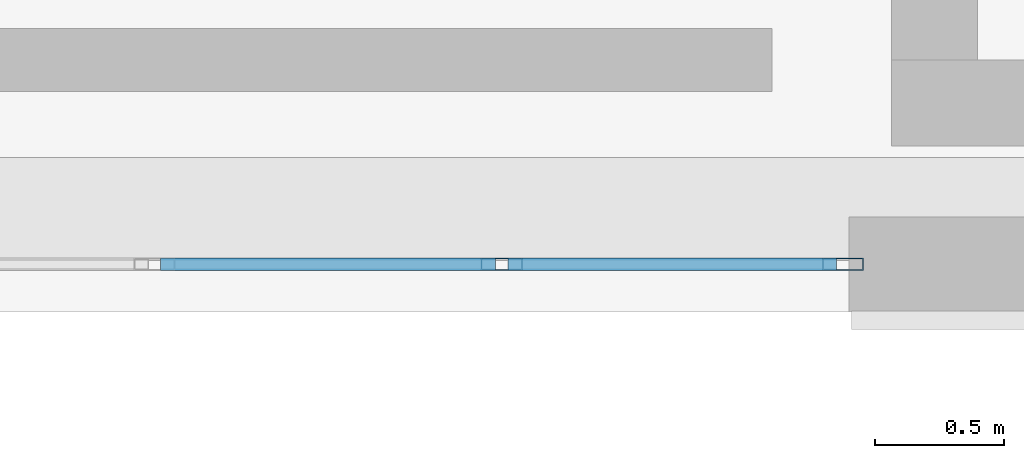
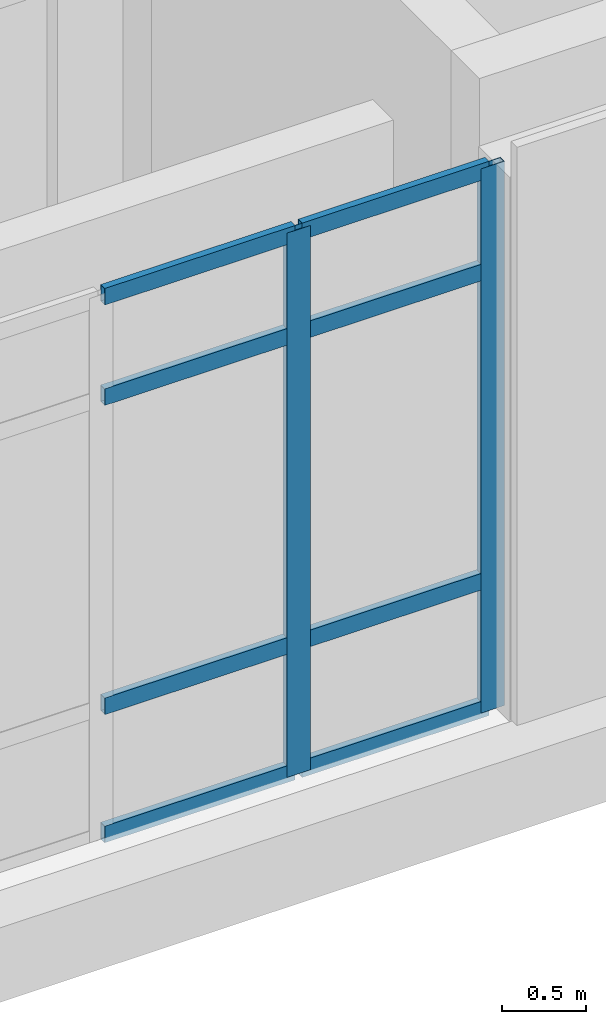
# One storey, part 28 of 77: 10 members, 1 element without a shape of its own.
"""IFC4 building model written with IfcOpenShell, lengths in metres."""

import ifcopenshell
import ifcopenshell.guid

model = None  # the IFC model being written
_history = None  # IfcOwnerHistory: only IFC2X3 demands one
_inside = {}  # id of a spatial element -> (the spatial element, [elements in it])
_under = {}  # id of a project, library or spatial element -> (it, [spatial elements below it])
_declared = {}  # id of a project -> (the project, [libraries it declares])
_typed = {}  # id of a type object -> (the type object, [elements of that type])
_made_of = {}  # id of a material, layer set ... -> (it, [elements and type objects made of it])


def new_model(schema):
    """Start an empty IFC model of exactly this schema.

    Asked for "IFC4X3", IfcOpenShell would pick the latest addendum, in which some entities
    have other attributes; the version numbers below select the first issue.
    IFC2X3 requires an IfcOwnerHistory on every rooted entity: one is made here for all.
    """
    global model, _history
    if schema == "IFC4X3":
        model = ifcopenshell.file(schema_version=(4, 3, 0, 0))
    else:
        model = ifcopenshell.file(schema=schema)
    _inside.clear()
    _under.clear()
    _declared.clear()
    _typed.clear()
    _made_of.clear()
    _history = None
    if model.schema == "IFC2X3":
        org = make("IfcOrganization", Name="unknown")
        user = make(
            "IfcPersonAndOrganization",
            ThePerson=make("IfcPerson", FamilyName="unknown"),
            TheOrganization=org,
        )
        app = make(
            "IfcApplication",
            ApplicationDeveloper=org,
            Version="unknown",
            ApplicationFullName="unknown",
            ApplicationIdentifier="unknown",
        )
        _history = make(
            "IfcOwnerHistory",
            OwningUser=user,
            OwningApplication=app,
            ChangeAction="ADDED",
            CreationDate=0,
        )
    return model


def make(cls, **values):
    """One entity of the class cls with the attributes given. An attribute that is None is left unset."""
    return model.create_entity(
        cls, **{name: value for name, value in values.items() if value is not None}
    )


def rooted(cls, **values):
    """An entity with a GlobalId (a new one), such as an element, a storey or a relation."""
    return make(cls, GlobalId=ifcopenshell.guid.new(), OwnerHistory=_history, **values)


def si_unit(unit_type, name, prefix=None):
    """IfcSIUnit, for example si_unit("LENGTHUNIT", "METRE", prefix="MILLI")."""
    return make("IfcSIUnit", UnitType=unit_type, Prefix=prefix, Name=name)


def assignment(units):
    """IfcUnitAssignment: the units of a project."""
    return None if units is None else make("IfcUnitAssignment", Units=units)


def point(xyz):
    """IfcCartesianPoint."""
    return None if xyz is None else make("IfcCartesianPoint", Coordinates=xyz)


def direction(xyz):
    """IfcDirection."""
    return None if xyz is None else make("IfcDirection", DirectionRatios=xyz)


def frame(location, z_axis=None, x_axis=None):
    """IfcAxis2Placement3D, a coordinate frame: its origin and axes. An axis left out is left unset."""
    return make(
        "IfcAxis2Placement3D",
        Location=point(location),
        Axis=direction(z_axis),
        RefDirection=direction(x_axis),
    )


def frame_2d(location, x_axis=None):
    """IfcAxis2Placement2D, a coordinate frame in the plane: its origin and x axis."""
    return make(
        "IfcAxis2Placement2D", Location=point(location), RefDirection=direction(x_axis)
    )


def origin():
    """The frame at (0, 0, 0) with its axes left unset."""
    return frame((0.0, 0.0, 0.0))


def origin_2d():
    """The frame at (0, 0) in the plane with its x axis left unset."""
    return frame_2d((0.0, 0.0))


def place(relative_to, where):
    """IfcLocalPlacement: puts the frame where relative to a parent placement (None: the world)."""
    return make(
        "IfcLocalPlacement", PlacementRelTo=relative_to, RelativePlacement=where
    )


def context(
    kind, dimensions, precision=None, world=None, true_north=None, identifier=None
):
    """IfcGeometricRepresentationContext, for example the 3D "Model" context."""
    return make(
        "IfcGeometricRepresentationContext",
        ContextIdentifier=identifier,
        ContextType=kind,
        CoordinateSpaceDimension=dimensions,
        Precision=precision,
        WorldCoordinateSystem=world,
        TrueNorth=true_north,
    )


def subcontext(parent, identifier, kind, view, scale=None):
    """IfcGeometricRepresentationSubContext, for example "Body" below "Model"."""
    return make(
        "IfcGeometricRepresentationSubContext",
        ContextIdentifier=identifier,
        ContextType=kind,
        ParentContext=parent,
        TargetScale=scale,
        TargetView=view,
    )


def project(units=None, contexts=None):
    """IfcProject with its units and contexts."""
    return rooted(
        "IfcProject",
        Name="project",
        RepresentationContexts=contexts,
        UnitsInContext=assignment(units),
    )


def spatial(cls, under=None, at=None, **own):
    """A site, building, storey or space (cls), placed at a placement, below another one or the project."""
    s = rooted(cls, ObjectPlacement=at, **own)
    if under is not None:
        _under.setdefault(under.id(), (under, []))[1].append(s)
    return s


def profile(cls, at=None, kind="AREA", **sizes):
    """A parametric profile (cls). Its sizes go by their IFC names, for example OverallWidth=200.0."""
    return make(cls, ProfileType=kind, Position=at, **sizes)


def hollow_rectangle(**sizes):
    """IfcRectangleHollowProfileDef."""
    return profile("IfcRectangleHollowProfileDef", **sizes)


def extrude(swept, where, along, depth):
    """IfcExtrudedAreaSolid: the profile swept, set in the frame where, extruded along a direction by depth."""
    return make(
        "IfcExtrudedAreaSolid",
        SweptArea=swept,
        Position=where,
        ExtrudedDirection=direction(along),
        Depth=depth,
    )


def shape(context_of_items, identifier, shape_type, items):
    """IfcShapeRepresentation: the items that make up one representation, for example the "Body"."""
    return make(
        "IfcShapeRepresentation",
        ContextOfItems=context_of_items,
        RepresentationIdentifier=identifier,
        RepresentationType=shape_type,
        Items=items,
    )


def material(Name=None, Category=None):
    """IfcMaterial."""
    return make("IfcMaterial", Name=Name, Category=Category)


def layer(
    of_material, thickness, ventilated=None, Name=None, Category=None, Priority=None
):
    """IfcMaterialLayer: one layer of a wall or slab, of a material (None: an air gap)."""
    return make(
        "IfcMaterialLayer",
        Material=of_material,
        LayerThickness=thickness,
        IsVentilated=ventilated,
        Name=Name,
        Category=Category,
        Priority=Priority,
    )


def layer_set(layers, Name=None):
    """IfcMaterialLayerSet."""
    return make("IfcMaterialLayerSet", MaterialLayers=layers, LayerSetName=Name)


def material_profile(
    of_material, cross_section, Name=None, Category=None, Priority=None
):
    """IfcMaterialProfile: a cross section and its material."""
    return make(
        "IfcMaterialProfile",
        Name=Name,
        Material=of_material,
        Profile=cross_section,
        Priority=Priority,
        Category=Category,
    )


def profile_set(profiles, Name=None, composite=None):
    """IfcMaterialProfileSet."""
    return make(
        "IfcMaterialProfileSet",
        Name=Name,
        MaterialProfiles=profiles,
        CompositeProfile=composite,
    )


def made_of(thing, what):
    """Note that an element or type object is made of a material, layer set ...; save() writes the relation."""
    if what is not None:
        _made_of.setdefault(what.id(), (what, []))[1].append(thing)
    return thing


def type_object(cls, material=None, **own):
    """A type object (cls), such as IfcWallType, which elements share."""
    return made_of(rooted(cls, **own), material)


def element(
    cls,
    number,
    at=None,
    inside=None,
    cuts=None,
    type_object=None,
    material=None,
    context=None,
    identifier="Body",
    shape_type=None,
    held_by="IfcProductDefinitionShape",
    body=None,
    shapes=None,
    **own,
):
    """One element of the class cls, such as IfcWall. Its Tag is "e" and its number.

    at: its placement. inside: the storey or other place that contains it. cuts: it is an
    opening in that element (IfcRelVoidsElement). A single representation is given by context,
    identifier, shape_type and body (its items); several are given by shapes. held_by: the class
    of the entity that holds the representations. save() writes the other relations.
    """
    e = rooted(cls, Tag="e%d" % number, ObjectPlacement=at, **own)
    if body is not None:
        shapes = [shape(context, identifier, shape_type, body)]
    if shapes is not None:
        e.Representation = make(held_by, Representations=shapes)
    if inside is not None:
        _inside.setdefault(inside.id(), (inside, []))[1].append(e)
    if cuts is not None:
        rooted(
            "IfcRelVoidsElement", RelatingBuildingElement=cuts, RelatedOpeningElement=e
        )
    if type_object is not None:
        _typed.setdefault(type_object.id(), (type_object, []))[1].append(e)
    return made_of(e, material)


def aggregate(whole, parts):
    """IfcRelAggregates: a whole, such as a stair, and the parts it consists of."""
    return rooted("IfcRelAggregates", RelatingObject=whole, RelatedObjects=parts)


def save(model, path):
    """Write the relations noted so far, then the file.

    IfcRelAggregates (storeys below a building ...), IfcRelContainedInSpatialStructure (elements
    in a storey), IfcRelDefinesByType, IfcRelAssociatesMaterial and IfcRelDeclares: one each for
    every whole, place, type object, material and project.
    """
    for whole, parts in _under.values():
        aggregate(whole, parts)
    for where, things in _inside.values():
        rooted(
            "IfcRelContainedInSpatialStructure",
            RelatedElements=things,
            RelatingStructure=where,
        )
    for kind, things in _typed.values():
        rooted("IfcRelDefinesByType", RelatedObjects=things, RelatingType=kind)
    for what, things in _made_of.values():
        rooted("IfcRelAssociatesMaterial", RelatedObjects=things, RelatingMaterial=what)
    for by, libraries in _declared.values():
        rooted("IfcRelDeclares", RelatingContext=by, RelatedDefinitions=libraries)
    model.write(path)


model = new_model("IFC4")

# Units and contexts
model_context = context("Model", 3, precision=1e-05, world=origin(), true_north=direction((0.0, 1.0)))
body_context = subcontext(model_context, "Body", "Model", "MODEL_VIEW")
ifc_project = project(units=[si_unit("LENGTHUNIT", "METRE"), si_unit("AREAUNIT", "SQUARE_METRE"), si_unit("VOLUMEUNIT", "CUBIC_METRE"), si_unit("PLANEANGLEUNIT", "RADIAN"), si_unit("MASSUNIT", "GRAM", prefix="KILO")], contexts=[model_context])

# Site, building, storey
site_placement = place(None, origin())
site = spatial("IfcSite", under=ifc_project, at=site_placement, CompositionType="ELEMENT")
building_placement = place(site_placement, origin())
building = spatial("IfcBuilding", under=site, at=building_placement, Name="Qalavern Law Courts", CompositionType="ELEMENT")
storey_placement = place(building_placement, frame((0.0, 0.0, 27.0)))
storey = spatial("IfcBuildingStorey", under=building, at=storey_placement, Name="L06", CompositionType="ELEMENT", Elevation=27.0)

# Curtain wall, members
ifc_material_1 = material(Name="Anodised aluminium and insulated glazing", Category="aluminium")
ifc_layer = layer(ifc_material_1, 0.159912109375)
ifc_layer_set = layer_set([ifc_layer], Name="Anodised aluminium and insulated glazing")
curtain_wall_type = type_object("IfcCurtainWallType", Name="ENV-CW-CHAMB", PredefinedType="USERDEFINED", material=ifc_layer_set)
curtain_wall_placement = place(storey_placement, origin())
curtain_wall = element("IfcCurtainWall", 1, at=curtain_wall_placement, inside=storey, type_object=curtain_wall_type, Name="V4 unitised curtain wall L06 south 2", ObjectType="UNITISED CURTAIN WALL", PredefinedType="USERDEFINED")
ifc_material_2 = material(Name="Anodised aluminium", Category="aluminium")
ifc_material_profile_1 = material_profile(ifc_material_2, hollow_rectangle(XDim=0.048095703125, YDim=0.159912109375, WallThickness=0.00390625, at=origin_2d()), Name="ALU MULLION 48x160")
ifc_profile_set_1 = profile_set([ifc_material_profile_1], Name="Anodised aluminium")
member_type_1 = type_object("IfcMemberType", Name="ENV-CWM-48x160", PredefinedType="MULLION", material=ifc_profile_set_1)
member_1_placement = place(storey_placement, frame((96.35009765625, 41.205078125, 0.0), z_axis=(0.0, 0.0, 1.0), x_axis=(0.0, 1.0, 0.0)))
member_1 = element("IfcMember", 2, at=member_1_placement, type_object=member_type_1, Name="CW-04 mullion 4", PredefinedType="MULLION", context=body_context, shape_type="SweptSolid", body=[
    extrude(hollow_rectangle(XDim=0.048095703125, YDim=0.159912109375, WallThickness=0.00390625, at=origin_2d()), origin(), (0.0, 0.0, 1.0), 3.93505859375),
])
member_2_placement = place(storey_placement, frame((97.676025390625, 41.205078125, 0.0), z_axis=(0.0, 0.0, 1.0), x_axis=(0.0, 1.0, 0.0)))
member_2 = element("IfcMember", 3, at=member_2_placement, type_object=member_type_1, Name="CW-04 mullion 5", PredefinedType="MULLION", context=body_context, shape_type="SweptSolid", body=[
    extrude(hollow_rectangle(XDim=0.048095703125, YDim=0.159912109375, WallThickness=0.00390625, at=origin_2d()), origin(), (0.0, 0.0, 1.0), 3.93505859375),
])
ifc_material_profile_2 = material_profile(ifc_material_2, hollow_rectangle(XDim=0.048095703125, YDim=0.1201171875, WallThickness=0.00390625, at=origin_2d()), Name="ALU TRANSOM 48x120")
ifc_profile_set_2 = profile_set([ifc_material_profile_2], Name="Anodised aluminium")
member_type_2 = type_object("IfcMemberType", Name="ENV-CWT-48x120", PredefinedType="USERDEFINED", material=ifc_profile_set_2)
member_3_placement = place(storey_placement, frame((95.02392578125, 41.205078125, 0.02392578125), z_axis=(1.0, 0.0, 0.0), x_axis=(0.0, 1.0, 0.0)))
member_3 = element("IfcMember", 4, at=member_3_placement, type_object=member_type_2, Name="CW-04 transom 3.1", ObjectType="TRANSOM", PredefinedType="USERDEFINED", context=body_context, shape_type="SweptSolid", body=[
    extrude(hollow_rectangle(XDim=0.048095703125, YDim=0.1201171875, WallThickness=0.00390625, at=origin_2d()), origin(), (0.0, 0.0, 1.0), 1.302001953125),
])
member_4_placement = place(storey_placement, frame((95.02392578125, 41.205078125, 0.949951171875), z_axis=(1.0, 0.0, 0.0), x_axis=(0.0, 1.0, 0.0)))
member_4 = element("IfcMember", 5, at=member_4_placement, type_object=member_type_2, Name="CW-04 transom 3.2", ObjectType="TRANSOM", PredefinedType="USERDEFINED", context=body_context, shape_type="SweptSolid", body=[
    extrude(hollow_rectangle(XDim=0.048095703125, YDim=0.1201171875, WallThickness=0.00390625, at=origin_2d()), origin(), (0.0, 0.0, 1.0), 1.302001953125),
])
member_5_placement = place(storey_placement, frame((95.02392578125, 41.205078125, 3.18505859375), z_axis=(1.0, 0.0, 0.0), x_axis=(0.0, 1.0, 0.0)))
member_5 = element("IfcMember", 6, at=member_5_placement, type_object=member_type_2, Name="CW-04 transom 3.3", ObjectType="TRANSOM", PredefinedType="USERDEFINED", context=body_context, shape_type="SweptSolid", body=[
    extrude(hollow_rectangle(XDim=0.048095703125, YDim=0.1201171875, WallThickness=0.00390625, at=origin_2d()), origin(), (0.0, 0.0, 1.0), 1.302001953125),
])
member_6_placement = place(storey_placement, frame((95.02392578125, 41.205078125, 3.910888671875), z_axis=(1.0, 0.0, 0.0), x_axis=(0.0, 1.0, 0.0)))
member_6 = element("IfcMember", 7, at=member_6_placement, type_object=member_type_2, Name="CW-04 transom 3.4", ObjectType="TRANSOM", PredefinedType="USERDEFINED", context=body_context, shape_type="SweptSolid", body=[
    extrude(hollow_rectangle(XDim=0.048095703125, YDim=0.1201171875, WallThickness=0.00390625, at=origin_2d()), origin(), (0.0, 0.0, 1.0), 1.302001953125),
])
member_7_placement = place(storey_placement, frame((96.3740234375, 41.205078125, 0.02392578125), z_axis=(1.0, 0.0, 0.0), x_axis=(0.0, 1.0, 0.0)))
member_7 = element("IfcMember", 8, at=member_7_placement, type_object=member_type_2, Name="CW-04 transom 4.1", ObjectType="TRANSOM", PredefinedType="USERDEFINED", context=body_context, shape_type="SweptSolid", body=[
    extrude(hollow_rectangle(XDim=0.048095703125, YDim=0.1201171875, WallThickness=0.00390625, at=origin_2d()), origin(), (0.0, 0.0, 1.0), 1.278076171875),
])
member_8_placement = place(storey_placement, frame((96.3740234375, 41.205078125, 0.949951171875), z_axis=(1.0, 0.0, 0.0), x_axis=(0.0, 1.0, 0.0)))
member_8 = element("IfcMember", 9, at=member_8_placement, type_object=member_type_2, Name="CW-04 transom 4.2", ObjectType="TRANSOM", PredefinedType="USERDEFINED", context=body_context, shape_type="SweptSolid", body=[
    extrude(hollow_rectangle(XDim=0.048095703125, YDim=0.1201171875, WallThickness=0.00390625, at=origin_2d()), origin(), (0.0, 0.0, 1.0), 1.278076171875),
])
member_9_placement = place(storey_placement, frame((96.3740234375, 41.205078125, 3.18505859375), z_axis=(1.0, 0.0, 0.0), x_axis=(0.0, 1.0, 0.0)))
member_9 = element("IfcMember", 10, at=member_9_placement, type_object=member_type_2, Name="CW-04 transom 4.3", ObjectType="TRANSOM", PredefinedType="USERDEFINED", context=body_context, shape_type="SweptSolid", body=[
    extrude(hollow_rectangle(XDim=0.048095703125, YDim=0.1201171875, WallThickness=0.00390625, at=origin_2d()), origin(), (0.0, 0.0, 1.0), 1.278076171875),
])
member_10_placement = place(storey_placement, frame((96.3740234375, 41.205078125, 3.910888671875), z_axis=(1.0, 0.0, 0.0), x_axis=(0.0, 1.0, 0.0)))
member_10 = element("IfcMember", 11, at=member_10_placement, type_object=member_type_2, Name="CW-04 transom 4.4", ObjectType="TRANSOM", PredefinedType="USERDEFINED", context=body_context, shape_type="SweptSolid", body=[
    extrude(hollow_rectangle(XDim=0.048095703125, YDim=0.1201171875, WallThickness=0.00390625, at=origin_2d()), origin(), (0.0, 0.0, 1.0), 1.278076171875),
])
aggregate(curtain_wall, [member_1, member_2, member_3, member_4, member_5, member_6, member_7, member_8, member_9, member_10])

save(model, "model.ifc")
